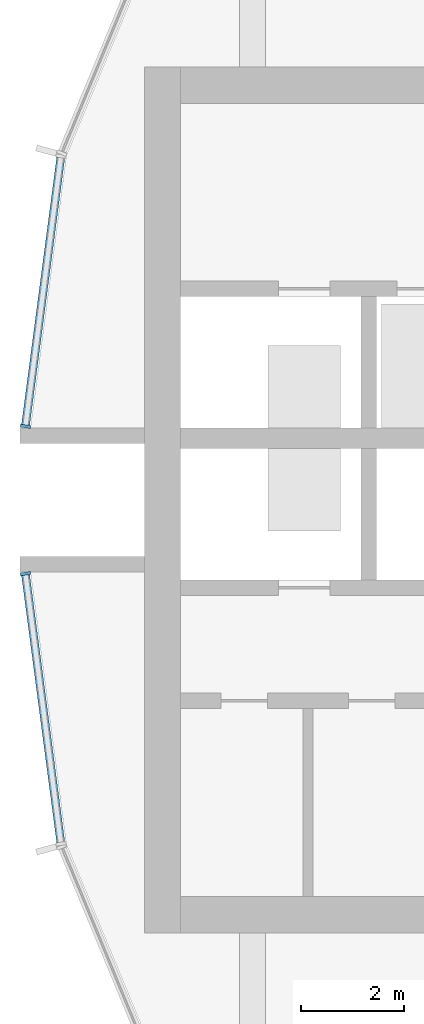
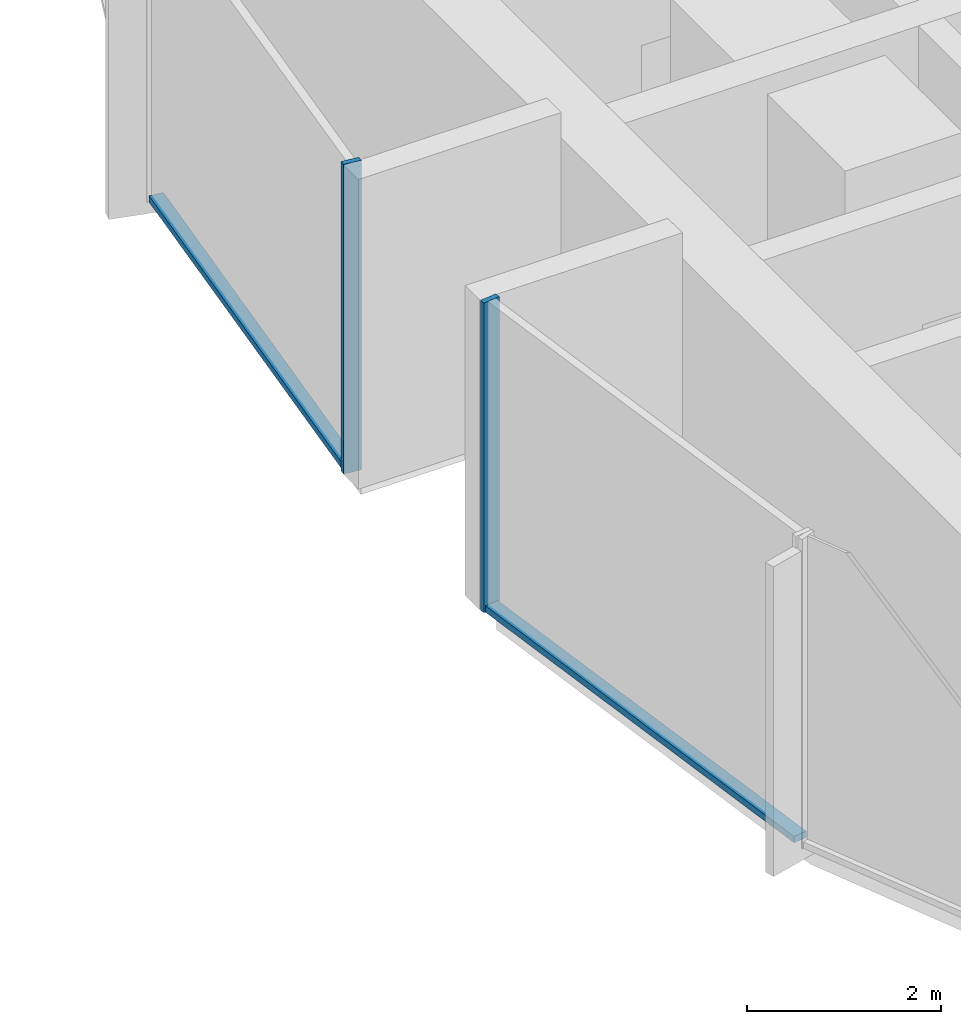
# One storey, part 3 of 15: 4 members, 2 elements without a shape of their own.
"""IFC4 building model written with IfcOpenShell, lengths in metres."""

from ifc_helpers import new_model, si_unit, direction, frame, origin, origin_2d, place, context, subcontext, project, spatial, rectangle, extrude, material, layer, layer_set, material_profile, profile_set, type_object, element, aggregate, save


model = new_model("IFC4")

# Units and contexts
model_context = context("Model", 3, precision=1e-05, world=origin(), true_north=direction((0.0, 1.0)))
body_context = subcontext(model_context, "Body", "Model", "MODEL_VIEW")
ifc_project = project(units=[si_unit("LENGTHUNIT", "METRE"), si_unit("AREAUNIT", "SQUARE_METRE"), si_unit("VOLUMEUNIT", "CUBIC_METRE"), si_unit("PLANEANGLEUNIT", "RADIAN"), si_unit("MASSUNIT", "GRAM", prefix="KILO")], contexts=[model_context])

# Site, building, storey
site_placement = place(None, origin())
site = spatial("IfcSite", under=ifc_project, at=site_placement, CompositionType="ELEMENT")
building_placement = place(site_placement, origin())
building = spatial("IfcBuilding", under=site, at=building_placement, Name="Torre Brocal", CompositionType="ELEMENT")
storey_placement = place(building_placement, frame((0.0, 0.0, 114.60009765625)))
storey = spatial("IfcBuildingStorey", under=building, at=storey_placement, Name="L26", CompositionType="ELEMENT", Elevation=114.60009765625)

# Curtain wall, member
ifc_material_1 = material(Name="Aluminium and glass", Category="aluminium")
ifc_layer = layer(ifc_material_1, 0.199951171875)
ifc_layer_set = layer_set([ifc_layer], Name="Aluminium and glass")
curtain_wall_type = type_object("IfcCurtainWallType", Name="CW-1B CURTAIN WALL 3900 HIGH", PredefinedType="NOTDEFINED", material=ifc_layer_set)
curtain_wall_1_placement = place(storey_placement, origin())
curtain_wall_1 = element("IfcCurtainWall", 1, at=curtain_wall_1_placement, inside=storey, type_object=curtain_wall_type, Name="CW-1B RUN 12", PredefinedType="NOTDEFINED")
ifc_material_2 = material(Name="Aluminium, dark anodised", Category="aluminium")
ifc_material_profile_1 = material_profile(ifc_material_2, rectangle(XDim=0.199951171875, YDim=0.06005859375, at=origin_2d()), Name="CW-1B MULLION 60X200")
ifc_profile_set_1 = profile_set([ifc_material_profile_1], Name="Aluminium, dark anodised")
member_type_1 = type_object("IfcMemberType", Name="CW-1B MULLION 60X200", PredefinedType="MULLION", material=ifc_profile_set_1)
member_1_placement = place(storey_placement, frame((54.2890625, 76.4296875, 0.0), z_axis=(0.0, 0.0, 1.0), x_axis=(0.991444861374, -0.13052619222, 0.0)))
member_1 = element("IfcMember", 2, at=member_1_placement, type_object=member_type_1, Name="CW1B-3 mullion 2", PredefinedType="MULLION", context=body_context, shape_type="SweptSolid", body=[
    extrude(rectangle(XDim=0.199951171875, YDim=0.06005859375, at=origin_2d()), origin(), (0.0, 0.0, 1.0), 3.89990234375),
])

curtain_wall_2_placement = place(storey_placement, origin())
curtain_wall_2 = element("IfcCurtainWall", 3, at=curtain_wall_2_placement, inside=storey, type_object=curtain_wall_type, Name="CW-1B RUN 13", PredefinedType="NOTDEFINED")
member_2_placement = place(storey_placement, frame((54.2890625, 73.5703125, 0.0), z_axis=(0.0, 0.0, 1.0), x_axis=(0.991444861374, 0.13052619222, 0.0)))
member_2 = element("IfcMember", 4, at=member_2_placement, type_object=member_type_1, Name="CW1B-3 mullion 1", PredefinedType="MULLION", context=body_context, shape_type="SweptSolid", body=[
    extrude(rectangle(XDim=0.199951171875, YDim=0.06005859375, at=origin_2d()), origin(), (0.0, 0.0, 1.0), 3.89990234375),
])

# Member
ifc_material_3 = material(Name="Aluminium, dark anodised", Category="aluminium")
ifc_material_profile_2 = material_profile(ifc_material_3, rectangle(XDim=0.159912109375, YDim=0.080078125, at=origin_2d()), Name="CW-1B TRANSOM 160X80")
ifc_profile_set_2 = profile_set([ifc_material_profile_2], Name="Aluminium, dark anodised")
member_type_2 = type_object("IfcMemberType", Name="CW-1B TRANSOM 160X80", PredefinedType="USERDEFINED", material=ifc_profile_set_2)
member_3_placement = place(storey_placement, frame((54.9755859375, 81.643798828125, 0.039794921875), z_axis=(-0.130542677827, -0.991442690863, 0.0), x_axis=(0.991442690863, -0.130542677827, 0.0)))
member_3 = element("IfcMember", 5, at=member_3_placement, type_object=member_type_2, Name="CW1B-3 transom 1.1", ObjectType="TRANSOM", PredefinedType="USERDEFINED", context=body_context, shape_type="SweptSolid", body=[
    extrude(rectangle(XDim=0.159912109375, YDim=0.080078125, at=origin_2d()), origin(), (0.0, 0.0, 1.0), 5.22900390625),
])

aggregate(curtain_wall_1, [member_1, member_3])

member_4_placement = place(storey_placement, frame((54.29296875, 73.54052734375, 0.039794921875), z_axis=(0.130542677827, -0.991442690863, 0.0), x_axis=(0.991442690863, 0.130542677827, 0.0)))
member_4 = element("IfcMember", 6, at=member_4_placement, type_object=member_type_2, Name="CW1B-3 transom 1.1", ObjectType="TRANSOM", PredefinedType="USERDEFINED", context=body_context, shape_type="SweptSolid", body=[
    extrude(rectangle(XDim=0.159912109375, YDim=0.080078125, at=origin_2d()), origin(), (0.0, 0.0, 1.0), 5.22900390625),
])

aggregate(curtain_wall_2, [member_2, member_4])

save(model, "model.ifc")
